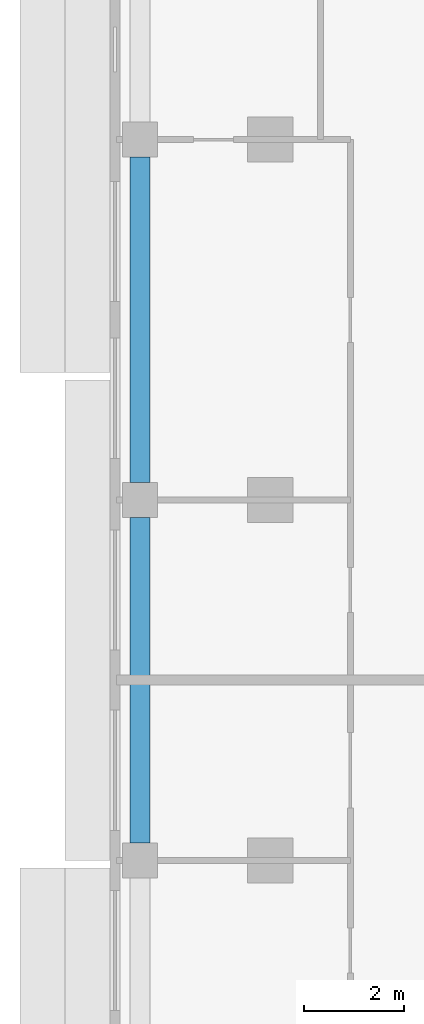
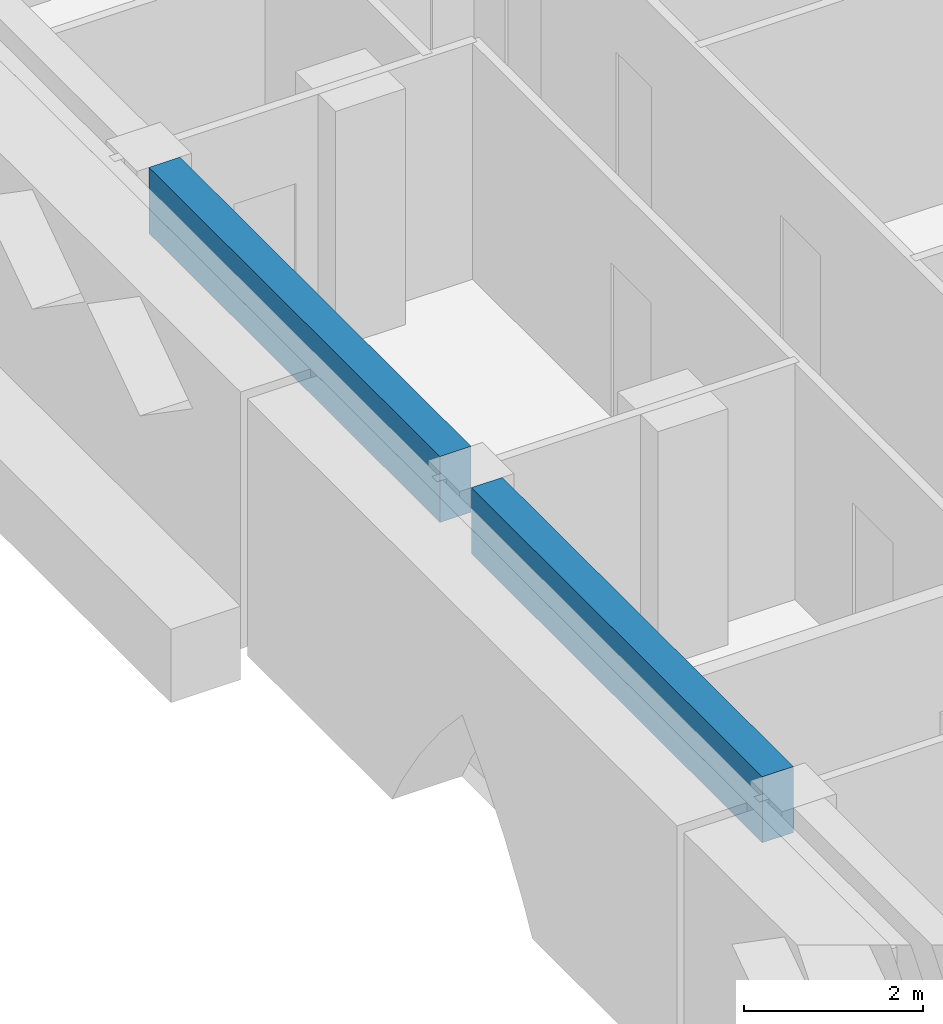
# One storey, part 3 of 19: 2 beams.
"""IFC4 building model written with IfcOpenShell, lengths in metres."""

from ifc_helpers import new_model, si_unit, direction, frame, origin, origin_2d, place, context, subcontext, project, spatial, rectangle, extrude, source, transform, mapped, material, material_profile, profile_set, type_object, element, save


model = new_model("IFC4")

# Units and contexts
model_context = context("Model", 3, precision=1e-05, world=origin(), true_north=direction((0.0, 1.0)))
body_context = subcontext(model_context, "Body", "Model", "MODEL_VIEW")
ifc_project = project(units=[si_unit("LENGTHUNIT", "METRE"), si_unit("AREAUNIT", "SQUARE_METRE"), si_unit("VOLUMEUNIT", "CUBIC_METRE"), si_unit("PLANEANGLEUNIT", "RADIAN"), si_unit("MASSUNIT", "GRAM", prefix="KILO")], contexts=[model_context])

# Site, building, storey
site_placement = place(None, origin())
site = spatial("IfcSite", under=ifc_project, at=site_placement, CompositionType="ELEMENT")
building_placement = place(site_placement, origin())
building = spatial("IfcBuilding", under=site, at=building_placement, Name="Saffron Iwan Residences", CompositionType="ELEMENT")
storey_placement = place(building_placement, frame((0.0, 0.0, 215.0)))
storey = spatial("IfcBuildingStorey", under=building, at=storey_placement, Name="L57", CompositionType="ELEMENT", Elevation=215.0)

# Beams
ifc_material = material(Name="Concrete C40/50", Category="concrete")
ifc_material_profile = material_profile(ifc_material, rectangle(XDim=0.39990234375, YDim=0.89990234375, at=origin_2d()), Name="RC 400x900")
ifc_profile_set = profile_set([ifc_material_profile], Name="Concrete C40/50")
beam_type = type_object("IfcBeamType", Name="SPANDREL BEAM RC 400x900 C40/50 TOP 3220", PredefinedType="SPANDREL", material=ifc_profile_set)
shared_shape = source(origin(), body_context, "Body", "SweptSolid", [
    extrude(rectangle(XDim=0.39990234375, YDim=0.89990234375, at=origin_2d()), origin(), (0.0, 0.0, 1.0), 6.5),
])
for number, where, z_axis, x_axis, name in (
    (1, (19.0, 55.550048828125, 2.77001953125), (0.0, 1.0, 0.0), (-1.0, 0.0, 0.0), "Spandrel beam"),
    (2, (19.0, 62.75, 2.77001953125), (0.0, 1.0, 0.0), (-1.0, 0.0, 0.0), "Spandrel beam"),
):
    element("IfcBeam", number, at=place(storey_placement, frame(where, z_axis=z_axis, x_axis=x_axis)), inside=storey, type_object=beam_type, Name=name, PredefinedType="SPANDREL", context=body_context, shape_type="MappedRepresentation", body=[
        mapped(shared_shape, transform((0.0, 0.0, 0.0))),
    ])

save(model, "model.ifc")
